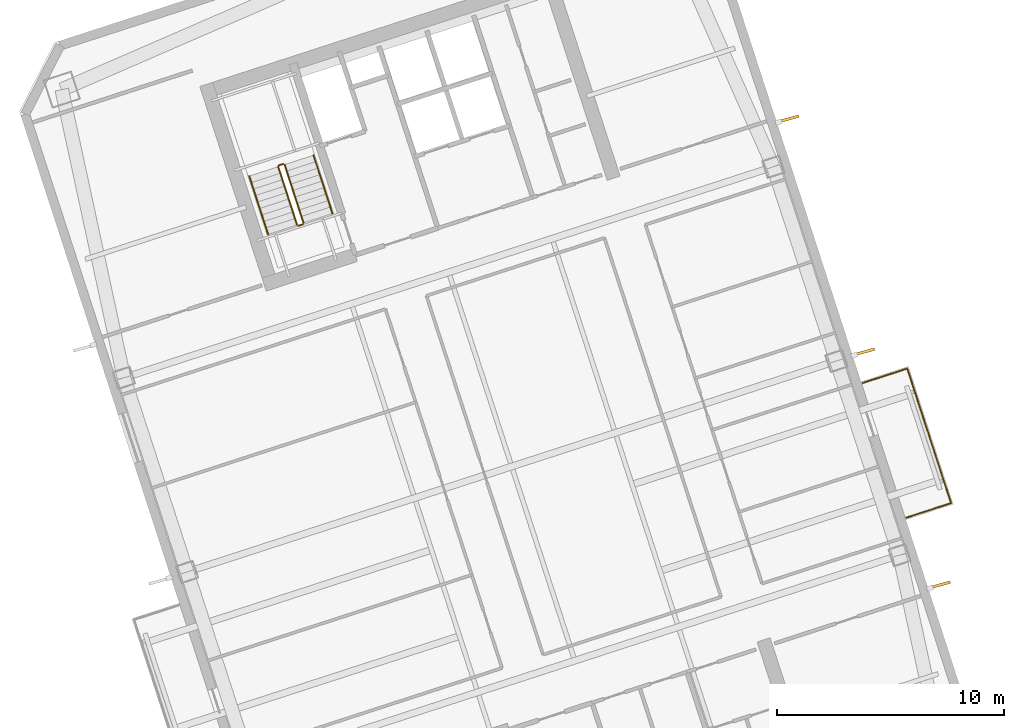
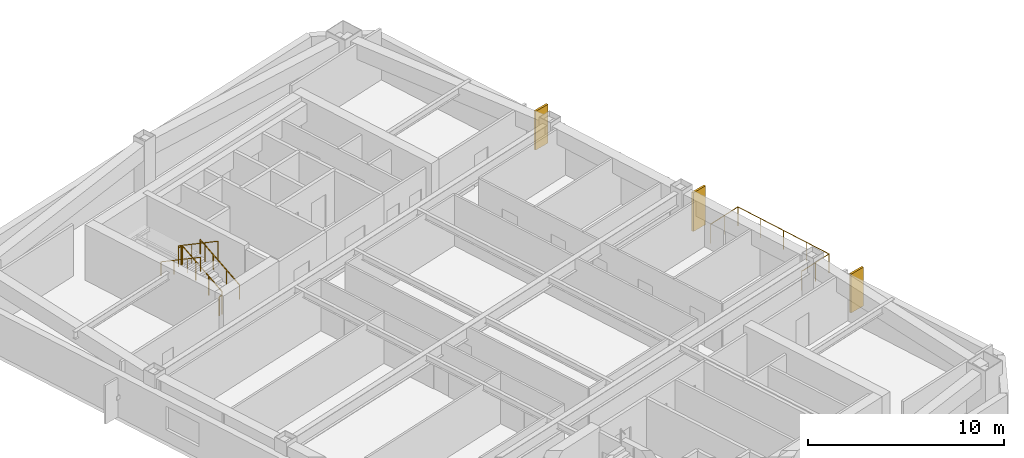
# One storey, part 17 of 17: 7 railings, 3 shading devices.
"""IFC4 building model written with IfcOpenShell, lengths in metres."""

from ifc_helpers import new_model, si_unit, direction, frame, origin, origin_2d, place, context, subcontext, project, spatial, rectangle, circle, extrude, material, layer, layer_set, type_object, element, save


model = new_model("IFC4")

# Units and contexts
model_context = context("Model", 3, precision=1e-05, world=origin(), true_north=direction((0.0, 1.0)))
body_context = subcontext(model_context, "Body", "Model", "MODEL_VIEW")
ifc_project = project(units=[si_unit("LENGTHUNIT", "METRE"), si_unit("AREAUNIT", "SQUARE_METRE"), si_unit("VOLUMEUNIT", "CUBIC_METRE"), si_unit("PLANEANGLEUNIT", "RADIAN"), si_unit("MASSUNIT", "GRAM", prefix="KILO")], contexts=[model_context])

# Site, building, storey
site_placement = place(None, origin())
site = spatial("IfcSite", under=ifc_project, at=site_placement, CompositionType="ELEMENT")
building_placement = place(site_placement, origin())
building = spatial("IfcBuilding", under=site, at=building_placement, Name="Qiaolan Cultural Towers", CompositionType="ELEMENT")
storey_placement = place(building_placement, frame((0.0, 0.0, 152.949951171875)))
storey = spatial("IfcBuildingStorey", under=building, at=storey_placement, Name="L40", CompositionType="ELEMENT", Elevation=152.949951171875)

# Railings
ifc_material_1 = material(Name="Laminated SentryGlas & Stainless Steel S31608 Balustrade", Category="steel")
railing_type_1 = type_object("IfcRailingType", Name="GRD-TERR-1200", PredefinedType="BALUSTRADE", material=ifc_material_1)
railing_1_placement = place(storey_placement, frame((107.39794921875, 31.74609375, 0.0)))
element("IfcRailing", 1, at=railing_1_placement, inside=storey, type_object=railing_type_1, Name="L40 T2 Tree Balcony Guardrail E", PredefinedType="BALUSTRADE", context=body_context, shape_type="SweptSolid", body=[
    extrude(circle(Radius=0.02392578125, at=origin_2d()), frame((0.0, 0.0, 1.17578125), z_axis=(0.951061799618, 0.309000733507, 0.0), x_axis=(-0.309000733507, 0.951061799618, 0.0)), (0.0, 0.0, 1.0), 2.070068359375),
    extrude(circle(Radius=0.02392578125, at=origin_2d()), frame((1.96875, 0.6396484375, 1.17578125), z_axis=(-0.30901175762, 0.951058217804, 0.0), x_axis=(-0.951058217804, -0.30901175762, 0.0)), (0.0, 0.0, 1.0), 6.239990234375),
    extrude(circle(Radius=0.02392578125, at=origin_2d()), frame((0.04052734375, 6.57421875, 1.17578125), z_axis=(-0.951061799618, -0.309000733507, 0.0), x_axis=(0.309000733507, -0.951061799618, 0.0)), (0.0, 0.0, 1.0), 2.070068359375),
    extrude(circle(Radius=0.02099609375, at=origin_2d()), origin(), (0.0, 0.0, 1.0), 1.15185546875),
    extrude(circle(Radius=0.02099609375, at=origin_2d()), frame((0.984375, 0.31982421875, 0.0)), (0.0, 0.0, 1.0), 1.15185546875),
    extrude(circle(Radius=0.02099609375, at=origin_2d()), frame((1.96875, 0.6396484375, 0.0)), (0.0, 0.0, 1.0), 1.15185546875),
    extrude(circle(Radius=0.02099609375, at=origin_2d()), frame((1.48681640625, 2.123291015625, 0.0)), (0.0, 0.0, 1.0), 1.15185546875),
    extrude(circle(Radius=0.02099609375, at=origin_2d()), frame((1.004638671875, 3.60693359375, 0.0)), (0.0, 0.0, 1.0), 1.15185546875),
    extrude(circle(Radius=0.02099609375, at=origin_2d()), frame((0.5224609375, 5.090576171875, 0.0)), (0.0, 0.0, 1.0), 1.15185546875),
    extrude(circle(Radius=0.02099609375, at=origin_2d()), frame((0.04052734375, 6.57421875, 0.0)), (0.0, 0.0, 1.0), 1.15185546875),
    extrude(circle(Radius=0.02099609375, at=origin_2d()), frame((-0.94384765625, 6.25439453125, 0.0)), (0.0, 0.0, 1.0), 1.15185546875),
    extrude(circle(Radius=0.02099609375, at=origin_2d()), frame((-1.92822265625, 5.9345703125, 0.0)), (0.0, 0.0, 1.0), 1.15185546875),
])
ifc_material_2 = material(Name="Galvanized Painted Steel Stair Guardrail", Category="steel")
railing_type_2 = type_object("IfcRailingType", Name="RL-STAIR-GRD", PredefinedType="GUARDRAIL", material=ifc_material_2)
railing_2_placement = place(storey_placement, frame((80.822021484375, 44.739501953125, 0.172607421875)))
element("IfcRailing", 2, at=railing_2_placement, inside=storey, type_object=railing_type_2, Name="L40 ST-E2 stair guard 1", PredefinedType="GUARDRAIL", context=body_context, shape_type="SweptSolid", body=[
    extrude(circle(Radius=0.02392578125, at=origin_2d()), frame((0.0, 0.0, 1.17578125), z_axis=(-0.26785290645, 0.824488402118, 0.498471358535), x_axis=(-0.951069945308, -0.308975661068, 0.0)), (0.0, 0.0, 1.0), 3.114501953125),
    extrude(circle(Radius=0.02099609375, at=origin_2d()), origin(), (0.0, 0.0, 1.0), 1.15185546875),
    extrude(circle(Radius=0.02099609375, at=origin_2d()), frame((-0.278076171875, 0.85595703125, 0.517578125)), (0.0, 0.0, 1.0), 1.15185546875),
    extrude(circle(Radius=0.02099609375, at=origin_2d()), frame((-0.55615234375, 1.7119140625, 1.034912109375)), (0.0, 0.0, 1.0), 1.15185546875),
    extrude(circle(Radius=0.02099609375, at=origin_2d()), frame((-0.834228515625, 2.56787109375, 1.552490234375)), (0.0, 0.0, 1.0), 1.15185546875),
])
railing_3_placement = place(storey_placement, frame((79.9248046875, 47.33935546875, 1.72509765625)))
element("IfcRailing", 3, at=railing_3_placement, inside=storey, type_object=railing_type_2, Name="L40 ST-E2 stair guard 2", PredefinedType="GUARDRAIL", context=body_context, shape_type="SweptSolid", body=[
    extrude(circle(Radius=0.02392578125, at=origin_2d()), frame((0.0, 0.0, 1.17578125), z_axis=(-0.951096855055, -0.308892816854, 0.0), x_axis=(0.308892816854, -0.951096855055, 0.0)), (0.0, 0.0, 1.0), 0.199951171875),
    extrude(circle(Radius=0.02099609375, at=origin_2d()), origin(), (0.0, 0.0, 1.0), 1.15185546875),
    extrude(circle(Radius=0.02099609375, at=origin_2d()), frame((-0.190185546875, -0.061767578125, 0.0)), (0.0, 0.0, 1.0), 1.15185546875),
])
railing_4_placement = place(storey_placement, frame((79.702392578125, 47.214599609375, 1.8974609375)))
element("IfcRailing", 4, at=railing_4_placement, inside=storey, type_object=railing_type_2, Name="L40 ST-E2 stair guard 3", PredefinedType="GUARDRAIL", context=body_context, shape_type="SweptSolid", body=[
    extrude(circle(Radius=0.02392578125, at=origin_2d()), frame((0.0, 0.0, 1.17578125), z_axis=(0.267925668498, -0.824471088726, 0.498460891159), x_axis=(0.951043371037, 0.309057448393, 0.0)), (0.0, 0.0, 1.0), 3.114501953125),
    extrude(circle(Radius=0.02099609375, at=origin_2d()), origin(), (0.0, 0.0, 1.0), 1.15185546875),
    extrude(circle(Radius=0.02099609375, at=origin_2d()), frame((0.278076171875, -0.85595703125, 0.517578125)), (0.0, 0.0, 1.0), 1.15185546875),
    extrude(circle(Radius=0.02099609375, at=origin_2d()), frame((0.556396484375, -1.7119140625, 1.034912109375)), (0.0, 0.0, 1.0), 1.15185546875),
    extrude(circle(Radius=0.02099609375, at=origin_2d()), frame((0.83447265625, -2.56787109375, 1.552490234375)), (0.0, 0.0, 1.0), 1.15185546875),
])
railing_5_placement = place(storey_placement, frame((80.7900390625, 44.676513671875, 0.0)))
element("IfcRailing", 5, at=railing_5_placement, inside=storey, type_object=railing_type_2, Name="L40 ST-E2 stair guard 4", PredefinedType="GUARDRAIL", context=body_context, shape_type="SweptSolid", body=[
    extrude(circle(Radius=0.02392578125, at=origin_2d()), frame((0.0, 0.0, 1.17578125), z_axis=(-0.951096855055, -0.308892816854, 0.0), x_axis=(0.308892816854, -0.951096855055, 0.0)), (0.0, 0.0, 1.0), 0.199951171875),
    extrude(circle(Radius=0.02099609375, at=origin_2d()), origin(), (0.0, 0.0, 1.0), 1.15185546875),
    extrude(circle(Radius=0.02099609375, at=origin_2d()), frame((-0.190185546875, -0.061767578125, 0.0)), (0.0, 0.0, 1.0), 1.15185546875),
])
ifc_material_3 = material(Name="Stainless Steel S30408 Tubular Handrail", Category="steel")
railing_type_3 = type_object("IfcRailingType", Name="RL-STAIR-HR", PredefinedType="HANDRAIL", material=ifc_material_3)
railing_6_placement = place(storey_placement, frame((82.096435546875, 45.153564453125, 0.172607421875)))
element("IfcRailing", 6, at=railing_6_placement, inside=storey, type_object=railing_type_3, Name="L40 ST-E2 stair handrail 1", PredefinedType="HANDRAIL", context=body_context, shape_type="SweptSolid", body=[
    extrude(circle(Radius=0.02392578125, at=origin_2d()), frame((0.0, 0.0, 0.8759765625), z_axis=(-0.26785290645, 0.824488402118, 0.498471358535), x_axis=(-0.951069945308, -0.308975661068, 0.0)), (0.0, 0.0, 1.0), 3.114501953125),
    extrude(circle(Radius=0.02099609375, at=origin_2d()), origin(), (0.0, 0.0, 1.0), 0.851806640625),
    extrude(circle(Radius=0.02099609375, at=origin_2d()), frame((-0.278076171875, 0.85595703125, 0.517578125)), (0.0, 0.0, 1.0), 0.851806640625),
    extrude(circle(Radius=0.02099609375, at=origin_2d()), frame((-0.55615234375, 1.7119140625, 1.034912109375)), (0.0, 0.0, 1.0), 0.851806640625),
    extrude(circle(Radius=0.02099609375, at=origin_2d()), frame((-0.834228515625, 2.56787109375, 1.552490234375)), (0.0, 0.0, 1.0), 0.851806640625),
])
railing_7_placement = place(storey_placement, frame((78.427978515625, 46.800537109375, 1.8974609375)))
element("IfcRailing", 7, at=railing_7_placement, inside=storey, type_object=railing_type_3, Name="L40 ST-E2 stair handrail 2", PredefinedType="HANDRAIL", context=body_context, shape_type="SweptSolid", body=[
    extrude(circle(Radius=0.02392578125, at=origin_2d()), frame((0.0, 0.0, 0.8759765625), z_axis=(0.267925668498, -0.824471088726, 0.498460891159), x_axis=(0.951043371037, 0.309057448393, 0.0)), (0.0, 0.0, 1.0), 3.114501953125),
    extrude(circle(Radius=0.02099609375, at=origin_2d()), origin(), (0.0, 0.0, 1.0), 0.851806640625),
    extrude(circle(Radius=0.02099609375, at=origin_2d()), frame((0.278076171875, -0.85595703125, 0.517578125)), (0.0, 0.0, 1.0), 0.851806640625),
    extrude(circle(Radius=0.02099609375, at=origin_2d()), frame((0.556396484375, -1.7119140625, 1.034912109375)), (0.0, 0.0, 1.0), 0.851806640625),
    extrude(circle(Radius=0.02099609375, at=origin_2d()), frame((0.83447265625, -2.56787109375, 1.552490234375)), (0.0, 0.0, 1.0), 0.851806640625),
])

# Shading devices
ifc_material_4 = material(Name="Pierced Warm Terracotta Acoustic Fin", Category="masonry")
ifc_layer = layer(ifc_material_4, 0.1201171875)
ifc_layer_set = layer_set([ifc_layer], Name="Pierced Warm Terracotta Acoustic Fin")
shading_device_type = type_object("IfcShadingDeviceType", Name="SHD-FIN-PIERCED", PredefinedType="USERDEFINED", material=ifc_layer_set)
for number, where, z_axis, x_axis, name in (
    (8, (108.896728515625, 28.7841796875, 0.10009765625), (0.0, 0.0, 1.0), (0.964117291254, 0.265476644368, 0.0), "L40 T2 Expressive Precast Vertical Fin E1"),
    (9, (105.559326171875, 39.055419921875, 0.10009765625), (0.0, 0.0, 1.0), (0.964117291254, 0.265476644368, 0.0), "L40 T2 Expressive Precast Vertical Fin E2"),
    (10, (102.221923828125, 49.326904296875, 0.10009765625), (0.0, 0.0, 1.0), (0.964117291254, 0.265476644368, 0.0), "L40 T2 Expressive Precast Vertical Fin E3"),
):
    element("IfcShadingDevice", number, at=place(storey_placement, frame(where, z_axis=z_axis, x_axis=x_axis)), inside=storey, type_object=shading_device_type, Name=name, ObjectType="FIN", PredefinedType="USERDEFINED", context=body_context, shape_type="SweptSolid", body=[
        extrude(rectangle(XDim=0.89990234375, YDim=0.1201171875, at=origin_2d()), origin(), (0.0, 0.0, 1.0), 2.409912109375),
    ])

save(model, "model.ifc")
